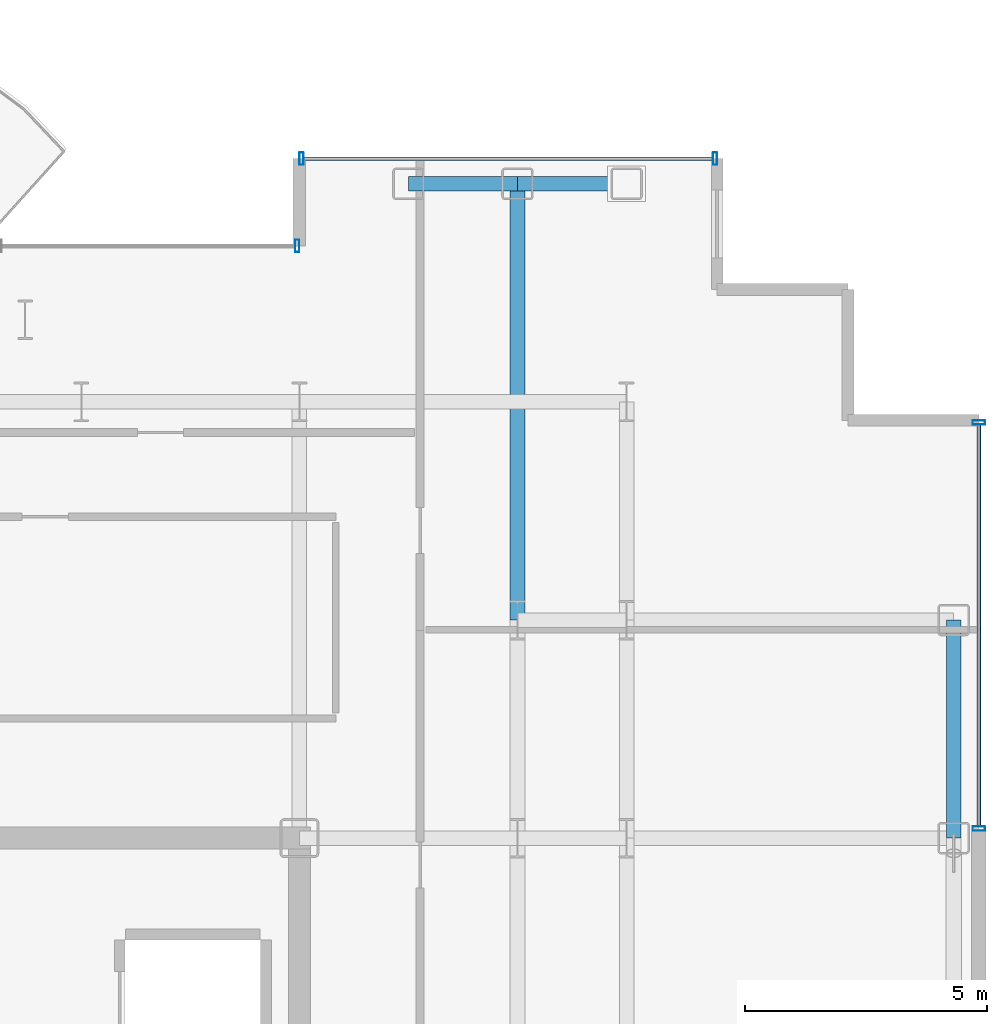
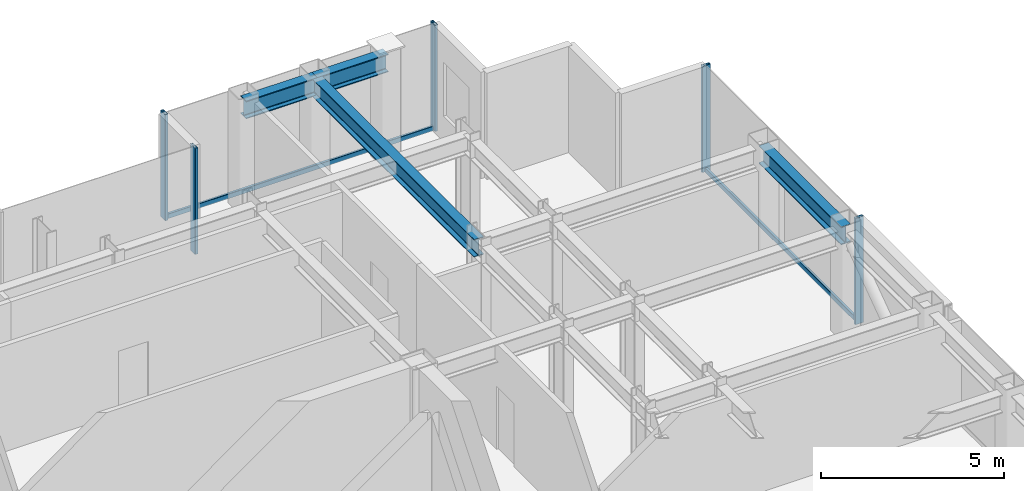
# One storey, part 13 of 22: 7 members, 4 beams, 3 elements without a shape of their own.
"""IFC4 building model written with IfcOpenShell, lengths in metres."""

from ifc_helpers import new_model, si_unit, direction, frame, origin, origin_2d, place, context, subcontext, project, spatial, hollow_rectangle, i_section, extrude, source, transform, mapped, material, layer, layer_set, material_profile, profile_set, type_object, element, aggregate, save


model = new_model("IFC4")

# Units and contexts
model_context = context("Model", 3, precision=1e-05, world=origin(), true_north=direction((0.0, 1.0)))
body_context = subcontext(model_context, "Body", "Model", "MODEL_VIEW")
ifc_project = project(units=[si_unit("LENGTHUNIT", "METRE"), si_unit("AREAUNIT", "SQUARE_METRE"), si_unit("VOLUMEUNIT", "CUBIC_METRE"), si_unit("PLANEANGLEUNIT", "RADIAN"), si_unit("MASSUNIT", "GRAM", prefix="KILO")], contexts=[model_context])

# Site, building, storey
site_placement = place(None, origin())
site = spatial("IfcSite", under=ifc_project, at=site_placement, CompositionType="ELEMENT")
building_placement = place(site_placement, origin())
building = spatial("IfcBuilding", under=site, at=building_placement, Name="Nefas-Gora Pilgrimage Tower", CompositionType="ELEMENT")
storey_placement = place(building_placement, frame((0.0, 0.0, 218.0)))
storey = spatial("IfcBuildingStorey", under=building, at=storey_placement, Name="L54", CompositionType="ELEMENT", Elevation=218.0)

# Beams
ifc_material_1 = material(Name="Steel S355", Category="steel")
ifc_material_profile_1 = material_profile(ifc_material_1, i_section(OverallWidth=0.300048828125, OverallDepth=0.60009765625, WebThickness=0.015380859375, FlangeThickness=0.030029296875, FilletRadius=0.027099609375, at=origin_2d()), Name="HEB 600")
ifc_profile_set_1 = profile_set([ifc_material_profile_1], Name="Steel S355")
beam_type_1 = type_object("IfcBeamType", Name="BM-SPN-HEB450", PredefinedType="SPANDREL", material=ifc_profile_set_1)
shared_shape_1 = source(origin(), body_context, "Body", "SweptSolid", [
    extrude(i_section(OverallWidth=0.300048828125, OverallDepth=0.60009765625, WebThickness=0.015380859375, FlangeThickness=0.030029296875, FilletRadius=0.027099609375, at=origin_2d()), origin(), (0.0, 0.0, 1.0), 4.5),
])
beam_1_placement = place(storey_placement, frame((24.75, 9.0, 3.25), z_axis=(0.0, 1.0, 0.0), x_axis=(-1.0, 0.0, 0.0)))
element("IfcBeam", 1, at=beam_1_placement, inside=storey, type_object=beam_type_1, Name="L54 SP-03 beam", PredefinedType="SPANDREL", context=body_context, shape_type="MappedRepresentation", body=[
    mapped(shared_shape_1, transform((0.0, 0.0, 0.0), x_axis=(1.0, 0.0, 0.0), y_axis=(0.0, 1.0, 0.0), z_axis=(0.0, 0.0, 1.0), scale=1.0)),
])
ifc_material_profile_2 = material_profile(ifc_material_1, i_section(OverallWidth=0.300048828125, OverallDepth=0.60009765625, WebThickness=0.015380859375, FlangeThickness=0.030029296875, FilletRadius=0.027099609375, at=origin_2d()), Name="HEB 600")
ifc_profile_set_2 = profile_set([ifc_material_profile_2], Name="Steel S355")
beam_type_2 = type_object("IfcBeamType", Name="BM-GIR-HEB600", PredefinedType="BEAM", material=ifc_profile_set_2)
shared_shape_2 = source(origin(), body_context, "Body", "SweptSolid", [
    extrude(i_section(OverallWidth=0.300048828125, OverallDepth=0.60009765625, WebThickness=0.015380859375, FlangeThickness=0.030029296875, FilletRadius=0.027099609375, at=origin_2d()), origin(), (0.0, 0.0, 1.0), 9.0),
])
beam_2_placement = place(storey_placement, frame((15.75, 13.5, 3.25), z_axis=(0.0, 1.0, 0.0), x_axis=(-1.0, 0.0, 0.0)))
element("IfcBeam", 2, at=beam_2_placement, inside=storey, type_object=beam_type_2, Name="L54 G-04 beam", PredefinedType="BEAM", context=body_context, shape_type="MappedRepresentation", body=[
    mapped(shared_shape_2, transform((0.0, 0.0, 0.0), x_axis=(1.0, 0.0, 0.0), y_axis=(0.0, 1.0, 0.0), z_axis=(0.0, 0.0, 1.0), scale=1.0)),
])
shared_shape_3 = source(origin(), body_context, "Body", "SweptSolid", [
    extrude(i_section(OverallWidth=0.300048828125, OverallDepth=0.60009765625, WebThickness=0.015380859375, FlangeThickness=0.030029296875, FilletRadius=0.027099609375, at=origin_2d()), origin(), (0.0, 0.0, 1.0), 2.25),
])
for number, where, z_axis, x_axis, name in (
    (3, (13.5, 22.5, 3.25), (1.0, 0.0, 0.0), (0.0, 1.0, 0.0), "L54 SP-03 beam"),
    (4, (15.75, 22.5, 3.25), (1.0, 0.0, 0.0), (0.0, 1.0, 0.0), "L54 SP-03 beam"),
):
    element("IfcBeam", number, at=place(storey_placement, frame(where, z_axis=z_axis, x_axis=x_axis)), inside=storey, type_object=beam_type_1, Name=name, PredefinedType="SPANDREL", context=body_context, shape_type="MappedRepresentation", body=[
        mapped(shared_shape_3, transform((0.0, 0.0, 0.0), x_axis=(1.0, 0.0, 0.0), y_axis=(0.0, 1.0, 0.0), z_axis=(0.0, 0.0, 1.0), scale=1.0)),
    ])

# Curtain wall, member
ifc_material_2 = material(Name="Dark ceramic-fritted solar-control aluminium-glass curtain wall", Category="aluminium")
ifc_layer_1 = layer(ifc_material_2, 0.219970703125)
ifc_layer_set_1 = layer_set([ifc_layer_1], Name="Dark ceramic-fritted solar-control aluminium-glass curtain wall")
curtain_wall_type_1 = type_object("IfcCurtainWallType", Name="CW-SYS-5", PredefinedType="NOTDEFINED", material=ifc_layer_set_1)
curtain_wall_1_placement = place(storey_placement, origin())
curtain_wall_1 = element("IfcCurtainWall", 5, at=curtain_wall_1_placement, inside=storey, type_object=curtain_wall_type_1, Name="L54 Unitised Curtain Wall CW5", PredefinedType="NOTDEFINED")
ifc_material_3 = material(Name="Anodised architectural aluminium", Category="aluminium")
ifc_material_profile_3 = material_profile(ifc_material_3, hollow_rectangle(XDim=0.090087890625, YDim=0.260009765625, WallThickness=0.006103515625, InnerFilletRadius=0.006103515625, OuterFilletRadius=0.011962890625, at=origin_2d()), Name="ALU MULLION 90x260")
ifc_profile_set_3 = profile_set([ifc_material_profile_3], Name="Anodised architectural aluminium")
member_type_1 = type_object("IfcMemberType", Name="CWM-MUL-5", PredefinedType="MULLION", material=ifc_profile_set_3)
shared_shape_4 = source(origin(), body_context, "Body", "SweptSolid", [
    extrude(hollow_rectangle(XDim=0.090087890625, YDim=0.260009765625, WallThickness=0.006103515625, InnerFilletRadius=0.006103515625, OuterFilletRadius=0.011962890625, at=origin_2d()), origin(), (0.0, 0.0, 1.0), 3.550048828125),
])
member_1_placement = place(storey_placement, frame((11.205078125, 21.219970703125, 0.0), z_axis=(0.0, 0.0, 1.0), x_axis=(-1.0, 0.0, 0.0)))
member_1 = element("IfcMember", 6, at=member_1_placement, type_object=member_type_1, Name="CW5 Mullion 1", PredefinedType="MULLION", context=body_context, shape_type="MappedRepresentation", body=[
    mapped(shared_shape_4, transform((0.0, 0.0, 0.0), x_axis=(1.0, 0.0, 0.0), y_axis=(0.0, 1.0, 0.0), z_axis=(0.0, 0.0, 1.0), scale=1.0)),
])
aggregate(curtain_wall_1, [member_1])

# Curtain wall, members
ifc_layer_2 = layer(ifc_material_2, 0.219970703125)
ifc_layer_set_2 = layer_set([ifc_layer_2], Name="Dark ceramic-fritted solar-control aluminium-glass curtain wall")
curtain_wall_type_2 = type_object("IfcCurtainWallType", Name="CW-SYS-3", PredefinedType="NOTDEFINED", material=ifc_layer_set_2)
curtain_wall_2_placement = place(storey_placement, origin())
curtain_wall_2 = element("IfcCurtainWall", 7, at=curtain_wall_2_placement, inside=storey, type_object=curtain_wall_type_2, Name="L54 Unitised Curtain Wall CW3", PredefinedType="NOTDEFINED")
ifc_material_profile_4 = material_profile(ifc_material_3, hollow_rectangle(XDim=0.090087890625, YDim=0.260009765625, WallThickness=0.006103515625, InnerFilletRadius=0.006103515625, OuterFilletRadius=0.011962890625, at=origin_2d()), Name="ALU MULLION 90x260")
ifc_profile_set_4 = profile_set([ifc_material_profile_4], Name="Anodised architectural aluminium")
member_type_2 = type_object("IfcMemberType", Name="CWM-MUL-3", PredefinedType="MULLION", material=ifc_profile_set_4)
shared_shape_5 = source(origin(), body_context, "Body", "SweptSolid", [
    extrude(hollow_rectangle(XDim=0.090087890625, YDim=0.260009765625, WallThickness=0.006103515625, InnerFilletRadius=0.006103515625, OuterFilletRadius=0.011962890625, at=origin_2d()), origin(), (0.0, 0.0, 1.0), 3.550048828125),
])
member_2_placement = place(storey_placement, frame((25.27001953125, 9.195068359375, 0.0), z_axis=(0.0, 0.0, 1.0), x_axis=(0.0, 1.0, 0.0)))
member_2 = element("IfcMember", 8, at=member_2_placement, type_object=member_type_2, Name="CW3 Mullion 1", PredefinedType="MULLION", context=body_context, shape_type="MappedRepresentation", body=[
    mapped(shared_shape_5, transform((0.0, 0.0, 0.0), x_axis=(1.0, 0.0, 0.0), y_axis=(0.0, 1.0, 0.0), z_axis=(0.0, 0.0, 1.0), scale=1.0)),
])
member_3_placement = place(storey_placement, frame((25.27001953125, 17.574951171875, 0.0), z_axis=(0.0, 0.0, 1.0), x_axis=(0.0, 1.0, 0.0)))
member_3 = element("IfcMember", 9, at=member_3_placement, type_object=member_type_2, Name="CW3 Mullion 2", PredefinedType="MULLION", context=body_context, shape_type="MappedRepresentation", body=[
    mapped(shared_shape_5, transform((0.0, 0.0, 0.0), x_axis=(1.0, 0.0, 0.0), y_axis=(0.0, 1.0, 0.0), z_axis=(0.0, 0.0, 1.0), scale=1.0)),
])

curtain_wall_3_placement = place(storey_placement, origin())
curtain_wall_3 = element("IfcCurtainWall", 10, at=curtain_wall_3_placement, inside=storey, type_object=curtain_wall_type_2, Name="L54 Unitised Curtain Wall CW3", PredefinedType="NOTDEFINED")
member_4_placement = place(storey_placement, frame((19.824951171875, 23.02001953125, 0.0), z_axis=(0.0, 0.0, 1.0), x_axis=(-1.0, 0.0, 0.0)))
member_4 = element("IfcMember", 11, at=member_4_placement, type_object=member_type_2, Name="CW3 Mullion 1", PredefinedType="MULLION", context=body_context, shape_type="MappedRepresentation", body=[
    mapped(shared_shape_5, transform((0.0, 0.0, 0.0), x_axis=(1.0, 0.0, 0.0), y_axis=(0.0, 1.0, 0.0), z_axis=(0.0, 0.0, 1.0), scale=1.0)),
])
member_5_placement = place(storey_placement, frame((11.294921875, 23.02001953125, 0.0), z_axis=(0.0, 0.0, 1.0), x_axis=(-1.0, 0.0, 0.0)))
member_5 = element("IfcMember", 12, at=member_5_placement, type_object=member_type_2, Name="CW3 Mullion 2", PredefinedType="MULLION", context=body_context, shape_type="MappedRepresentation", body=[
    mapped(shared_shape_5, transform((0.0, 0.0, 0.0), x_axis=(1.0, 0.0, 0.0), y_axis=(0.0, 1.0, 0.0), z_axis=(0.0, 0.0, 1.0), scale=1.0)),
])
ifc_material_profile_5 = material_profile(ifc_material_3, hollow_rectangle(XDim=0.080078125, YDim=0.159912109375, WallThickness=0.00439453125, InnerFilletRadius=0.00439453125, OuterFilletRadius=0.009033203125, at=origin_2d()), Name="ALU TRANSOM 80x160")
ifc_profile_set_5 = profile_set([ifc_material_profile_5], Name="Anodised architectural aluminium")
member_type_3 = type_object("IfcMemberType", Name="CWM-TRN-3", PredefinedType="USERDEFINED", material=ifc_profile_set_5)
shared_shape_6 = source(origin(), body_context, "Body", "SweptSolid", [
    extrude(hollow_rectangle(XDim=0.080078125, YDim=0.159912109375, WallThickness=0.00439453125, InnerFilletRadius=0.00439453125, OuterFilletRadius=0.009033203125, at=origin_2d()), origin(), (0.0, 0.0, 1.0), 8.43994140625),
])
member_6_placement = place(storey_placement, frame((19.780029296875, 23.02001953125, 0.050048828125), z_axis=(-1.0, 0.0, 0.0), x_axis=(0.0, -1.0, 0.0)))
member_6 = element("IfcMember", 13, at=member_6_placement, type_object=member_type_3, Name="CW3 Spandrel Transom", ObjectType="TRANSOM", PredefinedType="USERDEFINED", context=body_context, shape_type="MappedRepresentation", body=[
    mapped(shared_shape_6, transform((0.0, 0.0, 0.0), x_axis=(1.0, 0.0, 0.0), y_axis=(0.0, 1.0, 0.0), z_axis=(0.0, 0.0, 1.0), scale=1.0)),
])
aggregate(curtain_wall_3, [member_4, member_5, member_6])

# Member
shared_shape_7 = source(origin(), body_context, "Body", "SweptSolid", [
    extrude(hollow_rectangle(XDim=0.080078125, YDim=0.159912109375, WallThickness=0.00439453125, InnerFilletRadius=0.00439453125, OuterFilletRadius=0.009033203125, at=origin_2d()), origin(), (0.0, 0.0, 1.0), 8.2900390625),
])
member_7_placement = place(storey_placement, frame((25.27001953125, 9.239990234375, 0.050048828125), z_axis=(0.0, 1.0, 0.0), x_axis=(-1.0, 0.0, 0.0)))
member_7 = element("IfcMember", 14, at=member_7_placement, type_object=member_type_3, Name="CW3 Spandrel Transom", ObjectType="TRANSOM", PredefinedType="USERDEFINED", context=body_context, shape_type="MappedRepresentation", body=[
    mapped(shared_shape_7, transform((0.0, 0.0, 0.0), x_axis=(1.0, 0.0, 0.0), y_axis=(0.0, 1.0, 0.0), z_axis=(0.0, 0.0, 1.0), scale=1.0)),
])

aggregate(curtain_wall_2, [member_2, member_3, member_7])

save(model, "model.ifc")
